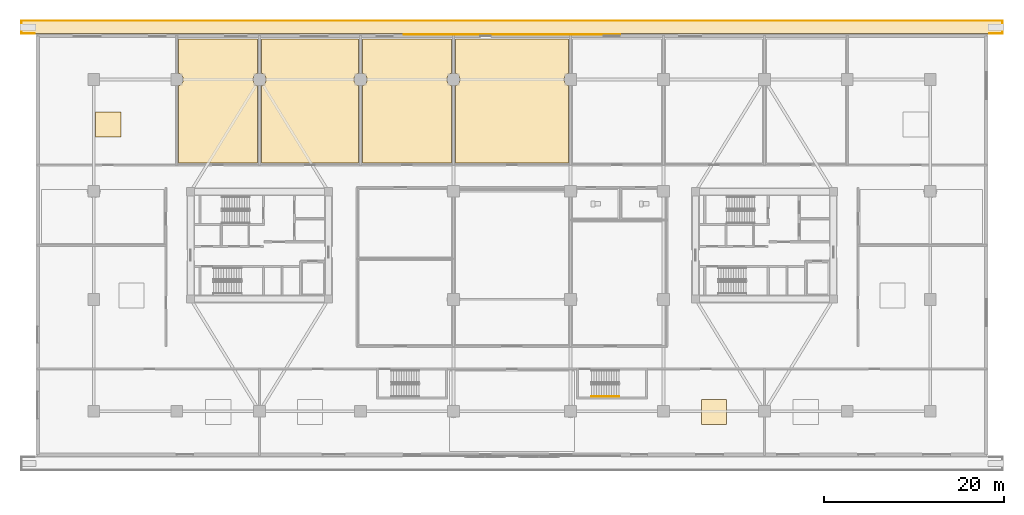
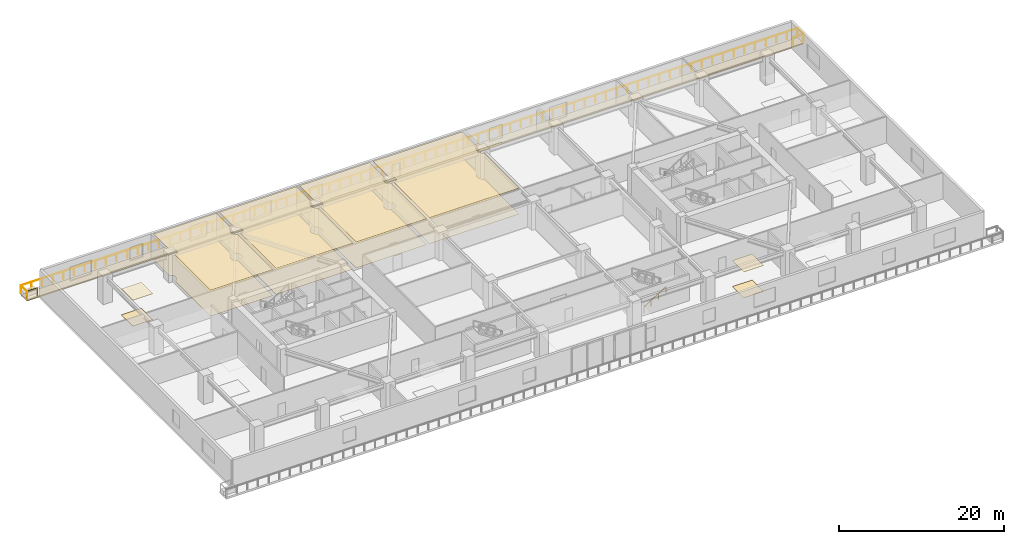
# One storey, part 17 of 22: 14 coverings, 3 railings.
"""IFC4 building model written with IfcOpenShell, lengths in metres."""

from ifc_helpers import new_model, si_unit, direction, frame, origin, origin_2d, place, context, subcontext, project, spatial, polyline, rectangle, outline, extrude, source, transform, mapped, material, layer, layer_set, type_object, type_shapes, element, save


model = new_model("IFC4")

# Units and contexts
model_context = context("Model", 3, precision=1e-05, world=origin(), true_north=direction((0.0, 1.0)))
body_context = subcontext(model_context, "Body", "Model", "MODEL_VIEW")
ifc_project = project(units=[si_unit("LENGTHUNIT", "METRE"), si_unit("AREAUNIT", "SQUARE_METRE"), si_unit("VOLUMEUNIT", "CUBIC_METRE"), si_unit("PLANEANGLEUNIT", "RADIAN"), si_unit("MASSUNIT", "GRAM", prefix="KILO")], contexts=[model_context])

# Site, building, storey
site_placement = place(None, origin())
site = spatial("IfcSite", under=ifc_project, at=site_placement, CompositionType="ELEMENT")
building_placement = place(site_placement, origin())
building = spatial("IfcBuilding", under=site, at=building_placement, Name="Norrkilde Senior Care Towers", CompositionType="ELEMENT")
storey_placement = place(building_placement, frame((0.0, 0.0, 4.199951171875)))
storey = spatial("IfcBuildingStorey", under=building, at=storey_placement, Name="L01", CompositionType="ELEMENT", Elevation=4.199951171875)

# Coverings
ifc_material_1 = material(Name="Nordic Ash Timber", Category="wood")
ifc_layer_1 = layer(ifc_material_1, 0.044921875)
ifc_layer_set_1 = layer_set([ifc_layer_1], Name="Nordic Ash Timber")
covering_type_1 = type_object("IfcCoveringType", Name="Acoustic Ash Timber Slatted Ceiling 45", PredefinedType="CEILING", material=ifc_layer_set_1)
covering_1_placement = place(storey_placement, frame((0.0, 0.0, 3.8349609375)))
element("IfcCovering", 1, at=covering_1_placement, inside=storey, type_object=covering_type_1, Name="L01 Suspended Ceiling 0032", PredefinedType="CEILING", context=body_context, shape_type="SweptSolid", body=[
    extrude(outline(polyline([(-46.199951171875, 11.9951171875), (-46.199951171875, 14.794921875), (-43.39990234375, 14.794921875), (-43.39990234375, 11.9951171875), (-46.199951171875, 11.9951171875)])), origin(), (0.0, 0.0, 1.0), 0.045166015625),
])
covering_2_placement = place(storey_placement, frame((0.0, 0.0, 3.8349609375)))
element("IfcCovering", 2, at=covering_2_placement, inside=storey, type_object=covering_type_1, Name="L01 Suspended Ceiling 0033", PredefinedType="CEILING", context=body_context, shape_type="SweptSolid", body=[
    extrude(outline(polyline([(-36.97998046875, 9.1201171875), (-36.97998046875, 17.707763671875), (-36.8349609375, 17.767822265625), (-36.683837890625, 17.8837890625), (-36.56787109375, 18.034912109375), (-36.494873046875, 18.211181640625), (-36.469970703125, 18.39990234375), (-36.494873046875, 18.5888671875), (-36.56787109375, 18.764892578125), (-36.683837890625, 18.916259765625), (-36.8349609375, 19.0322265625), (-36.97998046875, 19.09228515625), (-36.97998046875, 22.8798828125), (-28.219970703125, 22.8798828125), (-28.219970703125, 19.09228515625), (-28.364990234375, 19.0322265625), (-28.51611328125, 18.916259765625), (-28.632080078125, 18.764892578125), (-28.705078125, 18.5888671875), (-28.72998046875, 18.39990234375), (-28.705078125, 18.211181640625), (-28.632080078125, 18.034912109375), (-28.51611328125, 17.8837890625), (-28.364990234375, 17.767822265625), (-28.219970703125, 17.707763671875), (-28.219970703125, 9.1201171875), (-36.97998046875, 9.1201171875)])), origin(), (0.0, 0.0, 1.0), 0.045166015625),
])
covering_3_placement = place(storey_placement, frame((0.0, 0.0, 3.8349609375)))
element("IfcCovering", 3, at=covering_3_placement, inside=storey, type_object=covering_type_1, Name="L01 Suspended Ceiling 0035", PredefinedType="CEILING", context=body_context, shape_type="SweptSolid", body=[
    extrude(outline(polyline([(-16.580078125, 9.1201171875), (-16.580078125, 17.707763671875), (-16.43505859375, 17.767822265625), (-16.28369140625, 17.8837890625), (-16.167724609375, 18.034912109375), (-16.094970703125, 18.211181640625), (-16.070068359375, 18.39990234375), (-16.094970703125, 18.5888671875), (-16.167724609375, 18.764892578125), (-16.28369140625, 18.916259765625), (-16.43505859375, 19.0322265625), (-16.580078125, 19.09228515625), (-16.580078125, 22.8798828125), (-6.719970703125, 22.8798828125), (-6.719970703125, 19.09228515625), (-6.864990234375, 19.0322265625), (-7.01611328125, 18.916259765625), (-7.132080078125, 18.764892578125), (-7.205078125, 18.5888671875), (-7.22998046875, 18.39990234375), (-7.205078125, 18.211181640625), (-7.132080078125, 18.034912109375), (-7.01611328125, 17.8837890625), (-6.864990234375, 17.767822265625), (-6.719970703125, 17.707763671875), (-6.719970703125, 9.1201171875), (-16.580078125, 9.1201171875)])), origin(), (0.0, 0.0, 1.0), 0.045166015625),
])
covering_4_placement = place(storey_placement, frame((0.0, 0.0, 3.8349609375)))
element("IfcCovering", 4, at=covering_4_placement, inside=storey, type_object=covering_type_1, Name="L01 Suspended Ceiling 0036", PredefinedType="CEILING", context=body_context, shape_type="SweptSolid", body=[
    extrude(outline(polyline([(-6.280029296875, 9.1201171875), (-6.280029296875, 17.707763671875), (-6.135009765625, 17.767822265625), (-5.98388671875, 17.8837890625), (-5.867919921875, 18.034912109375), (-5.794921875, 18.211181640625), (-5.77001953125, 18.39990234375), (-5.794921875, 18.5888671875), (-5.867919921875, 18.764892578125), (-5.98388671875, 18.916259765625), (-6.135009765625, 19.0322265625), (-6.280029296875, 19.09228515625), (-6.280029296875, 22.8798828125), (6.280029296875, 22.8798828125), (6.280029296875, 19.09228515625), (6.135009765625, 19.0322265625), (5.98388671875, 18.916259765625), (5.867919921875, 18.764892578125), (5.794921875, 18.5888671875), (5.77001953125, 18.39990234375), (5.794921875, 18.211181640625), (5.867919921875, 18.034912109375), (5.98388671875, 17.8837890625), (6.135009765625, 17.767822265625), (6.280029296875, 17.707763671875), (6.280029296875, 9.1201171875), (-6.280029296875, 9.1201171875)])), origin(), (0.0, 0.0, 1.0), 0.045166015625),
])
covering_5_placement = place(storey_placement, frame((0.0, 0.0, 3.8349609375)))
element("IfcCovering", 5, at=covering_5_placement, inside=storey, type_object=covering_type_1, Name="L01 Suspended Ceiling 0044", PredefinedType="CEILING", context=body_context, shape_type="SweptSolid", body=[
    extrude(outline(polyline([(21.0, -19.89453125), (21.0, -17.094482421875), (23.800048828125, -17.094482421875), (23.800048828125, -19.89453125), (21.0, -19.89453125)])), origin(), (0.0, 0.0, 1.0), 0.045166015625),
])

# Railings
ifc_material_2 = material(Name="Anodised Aluminium", Category="aluminium")
railing_type_1 = type_object("IfcRailingType", Name="Balcony Swirl Ribbon Guardrail 1150", PredefinedType="GUARDRAIL", material=ifc_material_2)
railing_1_placement = place(storey_placement, frame((-54.419921875, 23.485107421875, 0.0)))
element("IfcRailing", 6, at=railing_1_placement, inside=storey, type_object=railing_type_1, Name="L01 Perimeter Safety Guard 03", PredefinedType="GUARDRAIL", context=body_context, shape_type="SweptSolid", body=[
    extrude(rectangle(XDim=0.048095703125, YDim=0.048095703125, at=origin_2d()), frame((0.0, 0.0, 1.1259765625), z_axis=(0.0, 1.0, 0.0), x_axis=(-1.0, 0.0, 0.0)), (0.0, 0.0, 1.0), 1.39404296875),
    extrude(rectangle(XDim=0.048095703125, YDim=0.048095703125, at=origin_2d()), frame((0.040771484375, 1.434814453125, 1.1259765625), z_axis=(1.0, 0.0, 0.0), x_axis=(0.0, 1.0, 0.0)), (0.0, 0.0, 1.0), 108.758056640625),
    extrude(rectangle(XDim=0.048095703125, YDim=0.048095703125, at=origin_2d()), frame((108.83984375, 1.39404296875, 1.1259765625), z_axis=(0.0, -1.0, 0.0), x_axis=(1.0, 0.0, 0.0)), (0.0, 0.0, 1.0), 1.35302734375),
    extrude(rectangle(XDim=0.048095703125, YDim=0.048095703125, at=origin_2d()), frame((108.799072265625, 0.0, 1.1259765625), z_axis=(-1.0, 0.0, 0.0), x_axis=(0.0, -1.0, 0.0)), (0.0, 0.0, 1.0), 1.42041015625),
    extrude(rectangle(XDim=0.0419921875, YDim=0.0419921875, at=origin_2d()), origin(), (0.0, 0.0, 1.0), 1.099853515625),
    extrude(rectangle(XDim=0.0419921875, YDim=0.0419921875, at=origin_2d()), frame((0.0, 1.434814453125, 0.0)), (0.0, 0.0, 1.0), 1.099853515625),
    extrude(rectangle(XDim=0.0419921875, YDim=0.0419921875, at=origin_2d()), frame((1.490966796875, 1.434814453125, 0.0)), (0.0, 0.0, 1.0), 1.099853515625),
    extrude(rectangle(XDim=0.0419921875, YDim=0.0419921875, at=origin_2d()), frame((2.98193359375, 1.434814453125, 0.0)), (0.0, 0.0, 1.0), 1.099853515625),
    extrude(rectangle(XDim=0.0419921875, YDim=0.0419921875, at=origin_2d()), frame((4.472900390625, 1.434814453125, 0.0)), (0.0, 0.0, 1.0), 1.099853515625),
    extrude(rectangle(XDim=0.0419921875, YDim=0.0419921875, at=origin_2d()), frame((5.9638671875, 1.434814453125, 0.0)), (0.0, 0.0, 1.0), 1.099853515625),
    extrude(rectangle(XDim=0.0419921875, YDim=0.0419921875, at=origin_2d()), frame((7.454833984375, 1.434814453125, 0.0)), (0.0, 0.0, 1.0), 1.099853515625),
    extrude(rectangle(XDim=0.0419921875, YDim=0.0419921875, at=origin_2d()), frame((8.94580078125, 1.434814453125, 0.0)), (0.0, 0.0, 1.0), 1.099853515625),
    extrude(rectangle(XDim=0.0419921875, YDim=0.0419921875, at=origin_2d()), frame((10.436767578125, 1.434814453125, 0.0)), (0.0, 0.0, 1.0), 1.099853515625),
    extrude(rectangle(XDim=0.0419921875, YDim=0.0419921875, at=origin_2d()), frame((11.927734375, 1.434814453125, 0.0)), (0.0, 0.0, 1.0), 1.099853515625),
    extrude(rectangle(XDim=0.0419921875, YDim=0.0419921875, at=origin_2d()), frame((13.418701171875, 1.434814453125, 0.0)), (0.0, 0.0, 1.0), 1.099853515625),
    extrude(rectangle(XDim=0.0419921875, YDim=0.0419921875, at=origin_2d()), frame((14.90966796875, 1.434814453125, 0.0)), (0.0, 0.0, 1.0), 1.099853515625),
    extrude(rectangle(XDim=0.0419921875, YDim=0.0419921875, at=origin_2d()), frame((16.400634765625, 1.434814453125, 0.0)), (0.0, 0.0, 1.0), 1.099853515625),
    extrude(rectangle(XDim=0.0419921875, YDim=0.0419921875, at=origin_2d()), frame((17.8916015625, 1.434814453125, 0.0)), (0.0, 0.0, 1.0), 1.099853515625),
    extrude(rectangle(XDim=0.0419921875, YDim=0.0419921875, at=origin_2d()), frame((19.38232421875, 1.434814453125, 0.0)), (0.0, 0.0, 1.0), 1.099853515625),
    extrude(rectangle(XDim=0.0419921875, YDim=0.0419921875, at=origin_2d()), frame((20.873291015625, 1.434814453125, 0.0)), (0.0, 0.0, 1.0), 1.099853515625),
    extrude(rectangle(XDim=0.0419921875, YDim=0.0419921875, at=origin_2d()), frame((22.3642578125, 1.434814453125, 0.0)), (0.0, 0.0, 1.0), 1.099853515625),
    extrude(rectangle(XDim=0.0419921875, YDim=0.0419921875, at=origin_2d()), frame((23.855224609375, 1.434814453125, 0.0)), (0.0, 0.0, 1.0), 1.099853515625),
    extrude(rectangle(XDim=0.0419921875, YDim=0.0419921875, at=origin_2d()), frame((25.34619140625, 1.434814453125, 0.0)), (0.0, 0.0, 1.0), 1.099853515625),
    extrude(rectangle(XDim=0.0419921875, YDim=0.0419921875, at=origin_2d()), frame((26.837158203125, 1.434814453125, 0.0)), (0.0, 0.0, 1.0), 1.099853515625),
    extrude(rectangle(XDim=0.0419921875, YDim=0.0419921875, at=origin_2d()), frame((28.328125, 1.434814453125, 0.0)), (0.0, 0.0, 1.0), 1.099853515625),
    extrude(rectangle(XDim=0.0419921875, YDim=0.0419921875, at=origin_2d()), frame((29.819091796875, 1.434814453125, 0.0)), (0.0, 0.0, 1.0), 1.099853515625),
    extrude(rectangle(XDim=0.0419921875, YDim=0.0419921875, at=origin_2d()), frame((31.31005859375, 1.434814453125, 0.0)), (0.0, 0.0, 1.0), 1.099853515625),
    extrude(rectangle(XDim=0.0419921875, YDim=0.0419921875, at=origin_2d()), frame((32.801025390625, 1.434814453125, 0.0)), (0.0, 0.0, 1.0), 1.099853515625),
    extrude(rectangle(XDim=0.0419921875, YDim=0.0419921875, at=origin_2d()), frame((34.2919921875, 1.434814453125, 0.0)), (0.0, 0.0, 1.0), 1.099853515625),
    extrude(rectangle(XDim=0.0419921875, YDim=0.0419921875, at=origin_2d()), frame((35.782958984375, 1.434814453125, 0.0)), (0.0, 0.0, 1.0), 1.099853515625),
    extrude(rectangle(XDim=0.0419921875, YDim=0.0419921875, at=origin_2d()), frame((37.27392578125, 1.434814453125, 0.0)), (0.0, 0.0, 1.0), 1.099853515625),
    extrude(rectangle(XDim=0.0419921875, YDim=0.0419921875, at=origin_2d()), frame((38.764892578125, 1.434814453125, 0.0)), (0.0, 0.0, 1.0), 1.099853515625),
    extrude(rectangle(XDim=0.0419921875, YDim=0.0419921875, at=origin_2d()), frame((40.255859375, 1.434814453125, 0.0)), (0.0, 0.0, 1.0), 1.099853515625),
    extrude(rectangle(XDim=0.0419921875, YDim=0.0419921875, at=origin_2d()), frame((41.746826171875, 1.434814453125, 0.0)), (0.0, 0.0, 1.0), 1.099853515625),
    extrude(rectangle(XDim=0.0419921875, YDim=0.0419921875, at=origin_2d()), frame((43.23779296875, 1.434814453125, 0.0)), (0.0, 0.0, 1.0), 1.099853515625),
    extrude(rectangle(XDim=0.0419921875, YDim=0.0419921875, at=origin_2d()), frame((44.728759765625, 1.434814453125, 0.0)), (0.0, 0.0, 1.0), 1.099853515625),
    extrude(rectangle(XDim=0.0419921875, YDim=0.0419921875, at=origin_2d()), frame((46.2197265625, 1.434814453125, 0.0)), (0.0, 0.0, 1.0), 1.099853515625),
    extrude(rectangle(XDim=0.0419921875, YDim=0.0419921875, at=origin_2d()), frame((47.710693359375, 1.434814453125, 0.0)), (0.0, 0.0, 1.0), 1.099853515625),
    extrude(rectangle(XDim=0.0419921875, YDim=0.0419921875, at=origin_2d()), frame((49.20166015625, 1.434814453125, 0.0)), (0.0, 0.0, 1.0), 1.099853515625),
    extrude(rectangle(XDim=0.0419921875, YDim=0.0419921875, at=origin_2d()), frame((50.692626953125, 1.434814453125, 0.0)), (0.0, 0.0, 1.0), 1.099853515625),
    extrude(rectangle(XDim=0.0419921875, YDim=0.0419921875, at=origin_2d()), frame((52.18359375, 1.434814453125, 0.0)), (0.0, 0.0, 1.0), 1.099853515625),
    extrude(rectangle(XDim=0.0419921875, YDim=0.0419921875, at=origin_2d()), frame((53.674560546875, 1.434814453125, 0.0)), (0.0, 0.0, 1.0), 1.099853515625),
    extrude(rectangle(XDim=0.0419921875, YDim=0.0419921875, at=origin_2d()), frame((55.165283203125, 1.434814453125, 0.0)), (0.0, 0.0, 1.0), 1.099853515625),
    extrude(rectangle(XDim=0.0419921875, YDim=0.0419921875, at=origin_2d()), frame((56.65625, 1.434814453125, 0.0)), (0.0, 0.0, 1.0), 1.099853515625),
    extrude(rectangle(XDim=0.0419921875, YDim=0.0419921875, at=origin_2d()), frame((58.147216796875, 1.434814453125, 0.0)), (0.0, 0.0, 1.0), 1.099853515625),
    extrude(rectangle(XDim=0.0419921875, YDim=0.0419921875, at=origin_2d()), frame((59.63818359375, 1.434814453125, 0.0)), (0.0, 0.0, 1.0), 1.099853515625),
    extrude(rectangle(XDim=0.0419921875, YDim=0.0419921875, at=origin_2d()), frame((61.129150390625, 1.434814453125, 0.0)), (0.0, 0.0, 1.0), 1.099853515625),
    extrude(rectangle(XDim=0.0419921875, YDim=0.0419921875, at=origin_2d()), frame((62.6201171875, 1.434814453125, 0.0)), (0.0, 0.0, 1.0), 1.099853515625),
    extrude(rectangle(XDim=0.0419921875, YDim=0.0419921875, at=origin_2d()), frame((64.111083984375, 1.434814453125, 0.0)), (0.0, 0.0, 1.0), 1.099853515625),
    extrude(rectangle(XDim=0.0419921875, YDim=0.0419921875, at=origin_2d()), frame((65.60205078125, 1.434814453125, 0.0)), (0.0, 0.0, 1.0), 1.099853515625),
    extrude(rectangle(XDim=0.0419921875, YDim=0.0419921875, at=origin_2d()), frame((67.093017578125, 1.434814453125, 0.0)), (0.0, 0.0, 1.0), 1.099853515625),
    extrude(rectangle(XDim=0.0419921875, YDim=0.0419921875, at=origin_2d()), frame((68.583984375, 1.434814453125, 0.0)), (0.0, 0.0, 1.0), 1.099853515625),
    extrude(rectangle(XDim=0.0419921875, YDim=0.0419921875, at=origin_2d()), frame((70.074951171875, 1.434814453125, 0.0)), (0.0, 0.0, 1.0), 1.099853515625),
    extrude(rectangle(XDim=0.0419921875, YDim=0.0419921875, at=origin_2d()), frame((71.56591796875, 1.434814453125, 0.0)), (0.0, 0.0, 1.0), 1.099853515625),
    extrude(rectangle(XDim=0.0419921875, YDim=0.0419921875, at=origin_2d()), frame((73.056884765625, 1.434814453125, 0.0)), (0.0, 0.0, 1.0), 1.099853515625),
    extrude(rectangle(XDim=0.0419921875, YDim=0.0419921875, at=origin_2d()), frame((74.5478515625, 1.434814453125, 0.0)), (0.0, 0.0, 1.0), 1.099853515625),
    extrude(rectangle(XDim=0.0419921875, YDim=0.0419921875, at=origin_2d()), frame((76.038818359375, 1.434814453125, 0.0)), (0.0, 0.0, 1.0), 1.099853515625),
    extrude(rectangle(XDim=0.0419921875, YDim=0.0419921875, at=origin_2d()), frame((77.52978515625, 1.434814453125, 0.0)), (0.0, 0.0, 1.0), 1.099853515625),
    extrude(rectangle(XDim=0.0419921875, YDim=0.0419921875, at=origin_2d()), frame((79.020751953125, 1.434814453125, 0.0)), (0.0, 0.0, 1.0), 1.099853515625),
    extrude(rectangle(XDim=0.0419921875, YDim=0.0419921875, at=origin_2d()), frame((80.51171875, 1.434814453125, 0.0)), (0.0, 0.0, 1.0), 1.099853515625),
    extrude(rectangle(XDim=0.0419921875, YDim=0.0419921875, at=origin_2d()), frame((82.002685546875, 1.434814453125, 0.0)), (0.0, 0.0, 1.0), 1.099853515625),
    extrude(rectangle(XDim=0.0419921875, YDim=0.0419921875, at=origin_2d()), frame((83.49365234375, 1.434814453125, 0.0)), (0.0, 0.0, 1.0), 1.099853515625),
    extrude(rectangle(XDim=0.0419921875, YDim=0.0419921875, at=origin_2d()), frame((84.984619140625, 1.434814453125, 0.0)), (0.0, 0.0, 1.0), 1.099853515625),
    extrude(rectangle(XDim=0.0419921875, YDim=0.0419921875, at=origin_2d()), frame((86.4755859375, 1.434814453125, 0.0)), (0.0, 0.0, 1.0), 1.099853515625),
    extrude(rectangle(XDim=0.0419921875, YDim=0.0419921875, at=origin_2d()), frame((87.966552734375, 1.434814453125, 0.0)), (0.0, 0.0, 1.0), 1.099853515625),
    extrude(rectangle(XDim=0.0419921875, YDim=0.0419921875, at=origin_2d()), frame((89.45751953125, 1.434814453125, 0.0)), (0.0, 0.0, 1.0), 1.099853515625),
    extrude(rectangle(XDim=0.0419921875, YDim=0.0419921875, at=origin_2d()), frame((90.9482421875, 1.434814453125, 0.0)), (0.0, 0.0, 1.0), 1.099853515625),
    extrude(rectangle(XDim=0.0419921875, YDim=0.0419921875, at=origin_2d()), frame((92.439208984375, 1.434814453125, 0.0)), (0.0, 0.0, 1.0), 1.099853515625),
    extrude(rectangle(XDim=0.0419921875, YDim=0.0419921875, at=origin_2d()), frame((93.93017578125, 1.434814453125, 0.0)), (0.0, 0.0, 1.0), 1.099853515625),
    extrude(rectangle(XDim=0.0419921875, YDim=0.0419921875, at=origin_2d()), frame((95.421142578125, 1.434814453125, 0.0)), (0.0, 0.0, 1.0), 1.099853515625),
    extrude(rectangle(XDim=0.0419921875, YDim=0.0419921875, at=origin_2d()), frame((96.912109375, 1.434814453125, 0.0)), (0.0, 0.0, 1.0), 1.099853515625),
    extrude(rectangle(XDim=0.0419921875, YDim=0.0419921875, at=origin_2d()), frame((98.403076171875, 1.434814453125, 0.0)), (0.0, 0.0, 1.0), 1.099853515625),
    extrude(rectangle(XDim=0.0419921875, YDim=0.0419921875, at=origin_2d()), frame((99.89404296875, 1.434814453125, 0.0)), (0.0, 0.0, 1.0), 1.099853515625),
    extrude(rectangle(XDim=0.0419921875, YDim=0.0419921875, at=origin_2d()), frame((101.385009765625, 1.434814453125, 0.0)), (0.0, 0.0, 1.0), 1.099853515625),
    extrude(rectangle(XDim=0.0419921875, YDim=0.0419921875, at=origin_2d()), frame((102.8759765625, 1.434814453125, 0.0)), (0.0, 0.0, 1.0), 1.099853515625),
    extrude(rectangle(XDim=0.0419921875, YDim=0.0419921875, at=origin_2d()), frame((104.366943359375, 1.434814453125, 0.0)), (0.0, 0.0, 1.0), 1.099853515625),
    extrude(rectangle(XDim=0.0419921875, YDim=0.0419921875, at=origin_2d()), frame((105.85791015625, 1.434814453125, 0.0)), (0.0, 0.0, 1.0), 1.099853515625),
    extrude(rectangle(XDim=0.0419921875, YDim=0.0419921875, at=origin_2d()), frame((107.348876953125, 1.434814453125, 0.0)), (0.0, 0.0, 1.0), 1.099853515625),
    extrude(rectangle(XDim=0.0419921875, YDim=0.0419921875, at=origin_2d()), frame((108.83984375, 1.434814453125, 0.0)), (0.0, 0.0, 1.0), 1.099853515625),
    extrude(rectangle(XDim=0.0419921875, YDim=0.0419921875, at=origin_2d()), frame((108.83984375, 0.0, 0.0)), (0.0, 0.0, 1.0), 1.099853515625),
    extrude(rectangle(XDim=0.0419921875, YDim=0.0419921875, at=origin_2d()), frame((107.378662109375, 0.0, 0.0)), (0.0, 0.0, 1.0), 1.099853515625),
])
railing_2_placement = place(storey_placement, frame((-52.958740234375, 23.485107421875, 0.0)))
element("IfcRailing", 7, at=railing_2_placement, inside=storey, type_object=railing_type_1, Name="L01 Perimeter Safety Guard 04", PredefinedType="GUARDRAIL", context=body_context, shape_type="SweptSolid", body=[
    extrude(rectangle(XDim=0.048095703125, YDim=0.048095703125, at=origin_2d()), frame((0.0, 0.0, 1.1259765625), z_axis=(-1.0, 0.0, 0.0), x_axis=(0.0, -1.0, 0.0)), (0.0, 0.0, 1.0), 1.461181640625),
    extrude(rectangle(XDim=0.0419921875, YDim=0.0419921875, at=origin_2d()), origin(), (0.0, 0.0, 1.0), 1.099853515625),
    extrude(rectangle(XDim=0.0419921875, YDim=0.0419921875, at=origin_2d()), frame((-1.461181640625, 0.0, 0.0)), (0.0, 0.0, 1.0), 1.099853515625),
])

# Coverings
ifc_material_3 = material(Name="EPDM Waterproofing and PIR Insulation")
ifc_layer_2 = layer(ifc_material_3, 0.159912109375)
ifc_layer_set_2 = layer_set([ifc_layer_2], Name="EPDM Waterproofing and PIR Insulation")
covering_type_2 = type_object("IfcCoveringType", Name="Insulated EPDM Roof Membrane 160", PredefinedType="ROOFING", material=ifc_layer_set_2)
covering_6_placement = place(storey_placement, frame((0.0, 0.0, -0.389892578125)))
element("IfcCovering", 8, at=covering_6_placement, inside=storey, type_object=covering_type_2, Name="L01 N Terrace Waterproof Membrane", PredefinedType="ROOFING", context=body_context, shape_type="SweptSolid", body=[
    extrude(outline(polyline([(-54.39990234375, 23.5048828125), (54.39990234375, 23.5048828125), (54.39990234375, 24.89990234375), (-54.39990234375, 24.89990234375), (-54.39990234375, 23.5048828125)])), origin(), (0.0, 0.0, 1.0), 0.159912109375),
])
ifc_material_4 = material(Name="Gypsum Acoustic Board")
ifc_layer_3 = layer(ifc_material_4, 0.030029296875)
ifc_layer_set_3 = layer_set([ifc_layer_3], Name="Gypsum Acoustic Board")
covering_type_3 = type_object("IfcCoveringType", Name="Medical Cleanable Gypsum Ceiling 30", PredefinedType="CEILING", material=ifc_layer_set_3)
covering_7_placement = place(storey_placement, frame((0.0, 0.0, 3.85009765625)))
element("IfcCovering", 9, at=covering_7_placement, inside=storey, type_object=covering_type_3, Name="L01 Suspended Ceiling 0034", PredefinedType="CEILING", context=body_context, shape_type="SweptSolid", body=[
    extrude(outline(polyline([(-27.780029296875, 9.1201171875), (-27.780029296875, 17.707763671875), (-27.635009765625, 17.767822265625), (-27.48388671875, 17.8837890625), (-27.367919921875, 18.034912109375), (-27.294921875, 18.211181640625), (-27.27001953125, 18.39990234375), (-27.294921875, 18.5888671875), (-27.367919921875, 18.764892578125), (-27.48388671875, 18.916259765625), (-27.635009765625, 19.0322265625), (-27.780029296875, 19.09228515625), (-27.780029296875, 22.8798828125), (-17.02001953125, 22.8798828125), (-17.02001953125, 19.09228515625), (-17.1650390625, 19.0322265625), (-17.316162109375, 18.916259765625), (-17.43212890625, 18.764892578125), (-17.505126953125, 18.5888671875), (-17.530029296875, 18.39990234375), (-17.505126953125, 18.211181640625), (-17.43212890625, 18.034912109375), (-17.316162109375, 17.8837890625), (-17.1650390625, 17.767822265625), (-17.02001953125, 17.707763671875), (-17.02001953125, 9.1201171875), (-27.780029296875, 9.1201171875)])), origin(), (0.0, 0.0, 1.0), 0.030029296875),
])
ifc_material_5 = material(Name="Slip-Resistant Porcelain Stone", Category="masonry")
ifc_layer_4 = layer(ifc_material_5, 0.02490234375)
ifc_layer_set_4 = layer_set([ifc_layer_4], Name="Slip-Resistant Porcelain Stone")
covering_type_4 = type_object("IfcCoveringType", Name="Slip-Resistant Porcelain Flooring 25", PredefinedType="FLOORING", material=ifc_layer_set_4)
covering_8_placement = place(storey_placement, origin())
element("IfcCovering", 10, at=covering_8_placement, inside=storey, type_object=covering_type_4, Name="L01 Floor Finish 0032", PredefinedType="FLOORING", context=body_context, shape_type="SweptSolid", body=[
    extrude(outline(polyline([(-46.199951171875, 11.9951171875), (-46.199951171875, 14.794921875), (-43.39990234375, 14.794921875), (-43.39990234375, 11.9951171875), (-46.199951171875, 11.9951171875)])), origin(), (0.0, 0.0, 1.0), 0.025146484375),
])
covering_9_placement = place(storey_placement, origin())
element("IfcCovering", 11, at=covering_9_placement, inside=storey, type_object=covering_type_4, Name="L01 Floor Finish 0033", PredefinedType="FLOORING", context=body_context, shape_type="SweptSolid", body=[
    extrude(outline(polyline([(-36.97998046875, 9.1201171875), (-36.97998046875, 17.707763671875), (-36.8349609375, 17.767822265625), (-36.683837890625, 17.8837890625), (-36.56787109375, 18.034912109375), (-36.494873046875, 18.211181640625), (-36.469970703125, 18.39990234375), (-36.494873046875, 18.5888671875), (-36.56787109375, 18.764892578125), (-36.683837890625, 18.916259765625), (-36.8349609375, 19.0322265625), (-36.97998046875, 19.09228515625), (-36.97998046875, 22.8798828125), (-28.219970703125, 22.8798828125), (-28.219970703125, 19.09228515625), (-28.364990234375, 19.0322265625), (-28.51611328125, 18.916259765625), (-28.632080078125, 18.764892578125), (-28.705078125, 18.5888671875), (-28.72998046875, 18.39990234375), (-28.705078125, 18.211181640625), (-28.632080078125, 18.034912109375), (-28.51611328125, 17.8837890625), (-28.364990234375, 17.767822265625), (-28.219970703125, 17.707763671875), (-28.219970703125, 9.1201171875), (-36.97998046875, 9.1201171875)])), origin(), (0.0, 0.0, 1.0), 0.025146484375),
])
covering_10_placement = place(storey_placement, origin())
element("IfcCovering", 12, at=covering_10_placement, inside=storey, type_object=covering_type_4, Name="L01 Floor Finish 0034", PredefinedType="FLOORING", context=body_context, shape_type="SweptSolid", body=[
    extrude(outline(polyline([(-27.780029296875, 9.1201171875), (-27.780029296875, 17.707763671875), (-27.635009765625, 17.767822265625), (-27.48388671875, 17.8837890625), (-27.367919921875, 18.034912109375), (-27.294921875, 18.211181640625), (-27.27001953125, 18.39990234375), (-27.294921875, 18.5888671875), (-27.367919921875, 18.764892578125), (-27.48388671875, 18.916259765625), (-27.635009765625, 19.0322265625), (-27.780029296875, 19.09228515625), (-27.780029296875, 22.8798828125), (-17.02001953125, 22.8798828125), (-17.02001953125, 19.09228515625), (-17.1650390625, 19.0322265625), (-17.316162109375, 18.916259765625), (-17.43212890625, 18.764892578125), (-17.505126953125, 18.5888671875), (-17.530029296875, 18.39990234375), (-17.505126953125, 18.211181640625), (-17.43212890625, 18.034912109375), (-17.316162109375, 17.8837890625), (-17.1650390625, 17.767822265625), (-17.02001953125, 17.707763671875), (-17.02001953125, 9.1201171875), (-27.780029296875, 9.1201171875)])), origin(), (0.0, 0.0, 1.0), 0.025146484375),
])
covering_11_placement = place(storey_placement, origin())
element("IfcCovering", 13, at=covering_11_placement, inside=storey, type_object=covering_type_4, Name="L01 Floor Finish 0035", PredefinedType="FLOORING", context=body_context, shape_type="SweptSolid", body=[
    extrude(outline(polyline([(-16.580078125, 9.1201171875), (-16.580078125, 17.707763671875), (-16.43505859375, 17.767822265625), (-16.28369140625, 17.8837890625), (-16.167724609375, 18.034912109375), (-16.094970703125, 18.211181640625), (-16.070068359375, 18.39990234375), (-16.094970703125, 18.5888671875), (-16.167724609375, 18.764892578125), (-16.28369140625, 18.916259765625), (-16.43505859375, 19.0322265625), (-16.580078125, 19.09228515625), (-16.580078125, 22.8798828125), (-6.719970703125, 22.8798828125), (-6.719970703125, 19.09228515625), (-6.864990234375, 19.0322265625), (-7.01611328125, 18.916259765625), (-7.132080078125, 18.764892578125), (-7.205078125, 18.5888671875), (-7.22998046875, 18.39990234375), (-7.205078125, 18.211181640625), (-7.132080078125, 18.034912109375), (-7.01611328125, 17.8837890625), (-6.864990234375, 17.767822265625), (-6.719970703125, 17.707763671875), (-6.719970703125, 9.1201171875), (-16.580078125, 9.1201171875)])), origin(), (0.0, 0.0, 1.0), 0.025146484375),
])
covering_12_placement = place(storey_placement, origin())
element("IfcCovering", 14, at=covering_12_placement, inside=storey, type_object=covering_type_4, Name="L01 Floor Finish 0036", PredefinedType="FLOORING", context=body_context, shape_type="SweptSolid", body=[
    extrude(outline(polyline([(-6.280029296875, 9.1201171875), (-6.280029296875, 17.707763671875), (-6.135009765625, 17.767822265625), (-5.98388671875, 17.8837890625), (-5.867919921875, 18.034912109375), (-5.794921875, 18.211181640625), (-5.77001953125, 18.39990234375), (-5.794921875, 18.5888671875), (-5.867919921875, 18.764892578125), (-5.98388671875, 18.916259765625), (-6.135009765625, 19.0322265625), (-6.280029296875, 19.09228515625), (-6.280029296875, 22.8798828125), (6.280029296875, 22.8798828125), (6.280029296875, 19.09228515625), (6.135009765625, 19.0322265625), (5.98388671875, 18.916259765625), (5.867919921875, 18.764892578125), (5.794921875, 18.5888671875), (5.77001953125, 18.39990234375), (5.794921875, 18.211181640625), (5.867919921875, 18.034912109375), (5.98388671875, 17.8837890625), (6.135009765625, 17.767822265625), (6.280029296875, 17.707763671875), (6.280029296875, 9.1201171875), (-6.280029296875, 9.1201171875)])), origin(), (0.0, 0.0, 1.0), 0.025146484375),
])
covering_13_placement = place(storey_placement, origin())
element("IfcCovering", 15, at=covering_13_placement, inside=storey, type_object=covering_type_4, Name="L01 Floor Finish 0044", PredefinedType="FLOORING", context=body_context, shape_type="SweptSolid", body=[
    extrude(outline(polyline([(21.0, -19.89453125), (21.0, -17.094482421875), (23.800048828125, -17.094482421875), (23.800048828125, -19.89453125), (21.0, -19.89453125)])), origin(), (0.0, 0.0, 1.0), 0.025146484375),
])

# Railing
railing_type_2 = type_object("IfcRailingType", Name="Wall and Stair Handrail 900", PredefinedType="HANDRAIL", material=ifc_material_1)
railing_3_placement = place(storey_placement, frame((8.800048828125, -16.75, 0.175048828125)))
element("IfcRailing", 16, at=railing_3_placement, inside=storey, type_object=railing_type_2, Name="L01 ST-P2 stair handrail 1", PredefinedType="HANDRAIL", context=body_context, shape_type="SweptSolid", body=[
    extrude(rectangle(XDim=0.048095703125, YDim=0.048095703125, at=origin_2d()), frame((0.0, 0.0, 0.8759765625), z_axis=(0.847979421464, 0.0, 0.530029150871), x_axis=(0.0, 1.0, 0.0)), (0.0, 0.0, 1.0), 3.632080078125),
    extrude(rectangle(XDim=0.0419921875, YDim=0.0419921875, at=origin_2d()), origin(), (0.0, 0.0, 1.0), 0.849853515625),
    extrude(rectangle(XDim=0.0419921875, YDim=0.0419921875, at=origin_2d()), frame((1.026611328125, 0.0, 0.6416015625)), (0.0, 0.0, 1.0), 0.849853515625),
    extrude(rectangle(XDim=0.0419921875, YDim=0.0419921875, at=origin_2d()), frame((2.05322265625, 0.0, 1.283447265625)), (0.0, 0.0, 1.0), 0.849853515625),
    extrude(rectangle(XDim=0.0419921875, YDim=0.0419921875, at=origin_2d()), frame((3.079833984375, 0.0, 1.925048828125)), (0.0, 0.0, 1.0), 0.849853515625),
])

# Covering
ifc_material_6 = material(Name="Architectural Terracotta", Category="masonry")
ifc_layer_5 = layer(ifc_material_6, 0.0400390625)
ifc_layer_set_5 = layer_set([ifc_layer_5], Name="Architectural Terracotta")
covering_type_5 = type_object("IfcCoveringType", Name="Glazed Terracotta Spandrel Cladding 40", PredefinedType="CLADDING", material=ifc_layer_set_5)
shared_shape = source(origin(), body_context, "Body", "SweptSolid", [
    extrude(rectangle(XDim=24.0, YDim=0.0400390625, at=origin_2d()), origin(), (0.0, 0.0, 1.0), 0.320068359375),
])
type_shapes(covering_type_5, [shared_shape])
covering_14_placement = place(storey_placement, frame((0.0, 23.3798828125, -0.31982421875), z_axis=(0.0, 0.0, 1.0), x_axis=(1.0, 0.0, 0.0)))
element("IfcCovering", 17, at=covering_14_placement, inside=storey, type_object=covering_type_5, Name="L01 N Terracotta Spandrel Band", PredefinedType="CLADDING", context=body_context, shape_type="MappedRepresentation", body=[
    mapped(shared_shape, transform((0.0, 0.0, 0.0), x_axis=(1.0, 0.0, 0.0), y_axis=(0.0, 1.0, 0.0), z_axis=(0.0, 0.0, 1.0), scale=1.0)),
])

save(model, "model.ifc")
